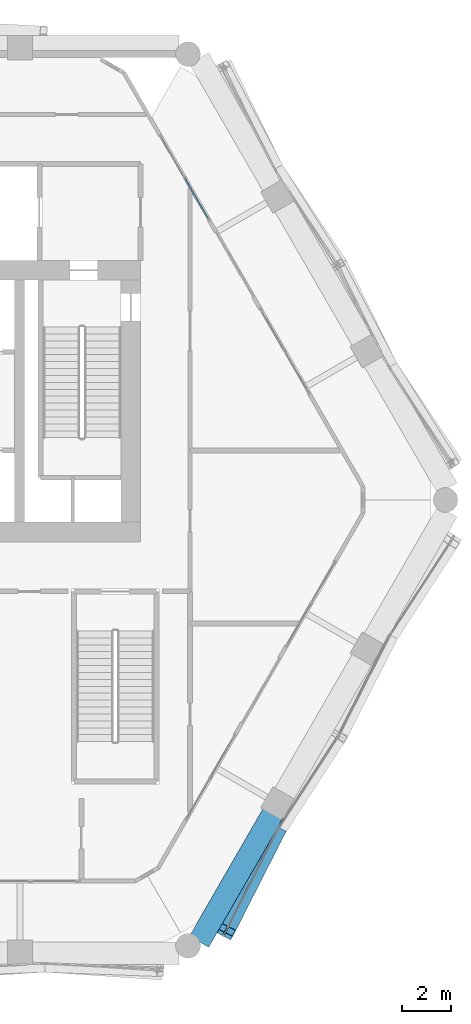
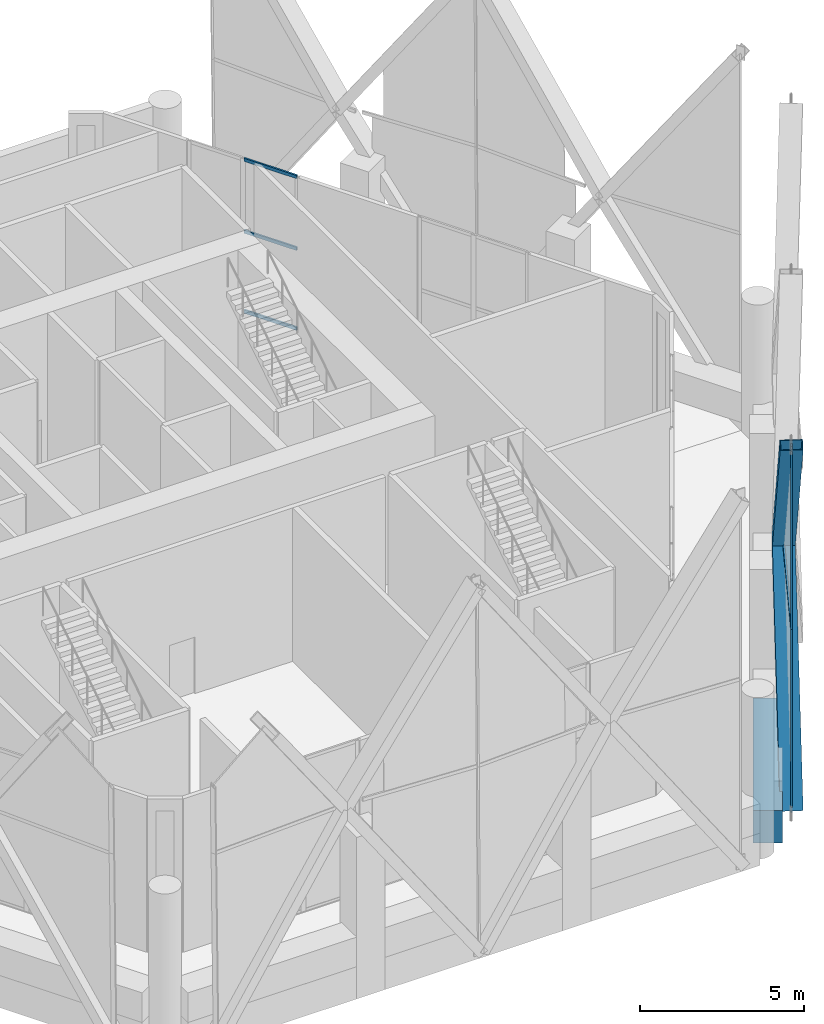
# One storey, part 18 of 43: 8 members, 1 beam, 3 elements without a shape of their own.
"""IFC4 building model written with IfcOpenShell, lengths in metres."""

from ifc_helpers import new_model, si_unit, direction, frame, origin, origin_2d, place, context, subcontext, project, spatial, rectangle, hollow_rectangle, extrude, material, material_profile, profile_set, type_object, element, aggregate, save


model = new_model("IFC4")

# Units and contexts
model_context = context("Model", 3, precision=1e-05, world=origin(), true_north=direction((0.0, 1.0)))
body_context = subcontext(model_context, "Body", "Model", "MODEL_VIEW")
ifc_project = project(units=[si_unit("LENGTHUNIT", "METRE"), si_unit("AREAUNIT", "SQUARE_METRE"), si_unit("VOLUMEUNIT", "CUBIC_METRE"), si_unit("PLANEANGLEUNIT", "RADIAN"), si_unit("MASSUNIT", "GRAM", prefix="KILO")], contexts=[model_context])

# Site, building, storey
site_placement = place(None, origin())
site = spatial("IfcSite", under=ifc_project, at=site_placement, CompositionType="ELEMENT")
building_placement = place(site_placement, origin())
building = spatial("IfcBuilding", under=site, at=building_placement, Name="Ostrander Bayou Hotel Tower", CompositionType="ELEMENT")
storey_placement = place(building_placement, frame((0.0, 0.0, 151.0)))
storey = spatial("IfcBuildingStorey", under=building, at=storey_placement, Name="L37", CompositionType="ELEMENT", Elevation=151.0)

# Curtain wall, members
ifc_material_1 = material(Name="Aluminium and clear glass", Category="aluminium")
curtain_wall_type_1 = type_object("IfcCurtainWallType", Name="CW-LAT lattice glazing", PredefinedType="NOTDEFINED", material=ifc_material_1)
curtain_wall_1_placement = place(storey_placement, origin())
curtain_wall_1 = element("IfcCurtainWall", 1, at=curtain_wall_1_placement, inside=storey, type_object=curtain_wall_type_1, Name="CW-LAT L37 SE 1", PredefinedType="NOTDEFINED")
ifc_material_2 = material(Name="Aluminium", Category="aluminium")
ifc_material_profile_1 = material_profile(ifc_material_2, hollow_rectangle(XDim=0.06005859375, YDim=0.159912109375, WallThickness=0.00390625, at=origin_2d()))
ifc_profile_set_1 = profile_set([ifc_material_profile_1], Name="Aluminium")
member_type_1 = type_object("IfcMemberType", Name="CW-LA mullion 60 x 160 mm", PredefinedType="MULLION", material=ifc_profile_set_1)
member_1_placement = place(storey_placement, frame((11.90576171875, -17.5185546875, -0.60009765625), z_axis=(0.005605838716, 0.009728842675, 0.999936960109), x_axis=(-0.866453581547, 0.499257639925, 0.0)))
member_1 = element("IfcMember", 2, at=member_1_placement, type_object=member_type_1, Name="CW-LAT mullion 1", PredefinedType="MULLION", context=body_context, shape_type="SweptSolid", body=[
    extrude(hollow_rectangle(XDim=0.06005859375, YDim=0.159912109375, WallThickness=0.00390625, at=origin_2d()), origin(), (0.0, 0.0, 1.0), 6.75048828125),
])
member_2_placement = place(storey_placement, frame((11.943603515625, -17.452880859375, 6.14990234375), z_axis=(0.005605842646, 0.009656516042, 0.99993766117), x_axis=(-0.864834315404, 0.502057374111, 0.0)))
member_2 = element("IfcMember", 3, at=member_2_placement, type_object=member_type_1, Name="CW-LAT mullion 2", PredefinedType="MULLION", context=body_context, shape_type="SweptSolid", body=[
    extrude(hollow_rectangle(XDim=0.06005859375, YDim=0.159912109375, WallThickness=0.00390625, at=origin_2d()), origin(), (0.0, 0.0, 1.0), 6.75048828125),
])
aggregate(curtain_wall_1, [member_1, member_2])

# Curtain wall, member
curtain_wall_2_placement = place(storey_placement, origin())
curtain_wall_2 = element("IfcCurtainWall", 4, at=curtain_wall_2_placement, inside=storey, type_object=curtain_wall_type_1, Name="CW-LAT L37 SE 2", PredefinedType="NOTDEFINED")
ifc_material_3 = material(Name="Aluminium", Category="aluminium")
ifc_material_profile_2 = material_profile(ifc_material_3, hollow_rectangle(XDim=0.06005859375, YDim=0.1201171875, WallThickness=0.00390625, at=origin_2d()))
ifc_profile_set_2 = profile_set([ifc_material_profile_2], Name="Aluminium")
member_type_2 = type_object("IfcMemberType", Name="CW-LA transom 60 x 120 mm", PredefinedType="USERDEFINED", material=ifc_profile_set_2)
member_3_placement = place(storey_placement, frame((11.943603515625, -17.452880859375, 6.14990234375), z_axis=(0.453613468938, 0.891198530518, 0.0), x_axis=(-0.891198530518, 0.453613468938, 0.0)))
member_3 = element("IfcMember", 5, at=member_3_placement, type_object=member_type_2, Name="CW-LAT transom 3", ObjectType="TRANSOM", PredefinedType="USERDEFINED", context=body_context, shape_type="SweptSolid", body=[
    extrude(hollow_rectangle(XDim=0.06005859375, YDim=0.1201171875, WallThickness=0.00390625, at=origin_2d()), origin(), (0.0, 0.0, 1.0), 5.117919921875),
])
aggregate(curtain_wall_2, [member_3])

# Curtain wall, members
ifc_material_4 = material(Name="Aluminium and clear glass", Category="aluminium")
curtain_wall_type_2 = type_object("IfcCurtainWallType", Name="CW-SKY amenity glass wall", PredefinedType="NOTDEFINED", material=ifc_material_4)
curtain_wall_3_placement = place(storey_placement, origin())
curtain_wall_3 = element("IfcCurtainWall", 6, at=curtain_wall_3_placement, inside=storey, type_object=curtain_wall_type_2, Name="CW-SKY L37 NE 4", PredefinedType="NOTDEFINED")
ifc_material_5 = material(Name="Aluminium", Category="aluminium")
ifc_material_profile_3 = material_profile(ifc_material_5, hollow_rectangle(XDim=0.06005859375, YDim=0.1201171875, WallThickness=0.00390625, at=origin_2d()))
ifc_profile_set_3 = profile_set([ifc_material_profile_3], Name="Aluminium")
member_type_3 = type_object("IfcMemberType", Name="CW-SK transom 60 x 120 mm", PredefinedType="USERDEFINED", material=ifc_profile_set_3)
member_4_placement = place(storey_placement, frame((11.228515625, 11.40185546875, 0.030029296875), z_axis=(-0.50012012977, 0.86595603572, 0.0), x_axis=(-0.86595603572, -0.50012012977, 0.0)))
member_4 = element("IfcMember", 7, at=member_4_placement, type_object=member_type_3, Name="CW-SKY transom 1.1", ObjectType="TRANSOM", PredefinedType="USERDEFINED", context=body_context, shape_type="SweptSolid", body=[
    extrude(hollow_rectangle(XDim=0.06005859375, YDim=0.1201171875, WallThickness=0.00390625, at=origin_2d()), origin(), (0.0, 0.0, 1.0), 1.85986328125),
])
member_5_placement = place(storey_placement, frame((11.228515625, 11.40185546875, 3.0), z_axis=(-0.50012012977, 0.86595603572, 0.0), x_axis=(-0.86595603572, -0.50012012977, 0.0)))
member_5 = element("IfcMember", 8, at=member_5_placement, type_object=member_type_3, Name="CW-SKY transom 1.2", ObjectType="TRANSOM", PredefinedType="USERDEFINED", context=body_context, shape_type="SweptSolid", body=[
    extrude(hollow_rectangle(XDim=0.06005859375, YDim=0.1201171875, WallThickness=0.00390625, at=origin_2d()), origin(), (0.0, 0.0, 1.0), 1.85986328125),
])
member_6_placement = place(storey_placement, frame((11.228515625, 11.40185546875, 5.669921875), z_axis=(-0.50012012977, 0.86595603572, 0.0), x_axis=(-0.86595603572, -0.50012012977, 0.0)))
member_6 = element("IfcMember", 9, at=member_6_placement, type_object=member_type_3, Name="CW-SKY transom 1.3", ObjectType="TRANSOM", PredefinedType="USERDEFINED", context=body_context, shape_type="SweptSolid", body=[
    extrude(hollow_rectangle(XDim=0.06005859375, YDim=0.1201171875, WallThickness=0.00390625, at=origin_2d()), origin(), (0.0, 0.0, 1.0), 1.85986328125),
])
aggregate(curtain_wall_3, [member_4, member_5, member_6])

# Members
ifc_material_6 = material(Name="Steel ASTM A572 Gr 50", Category="steel")
ifc_material_profile_4 = material_profile(ifc_material_6, hollow_rectangle(XDim=0.699951171875, YDim=0.35009765625, WallThickness=0.02490234375, at=origin_2d()))
ifc_profile_set_4 = profile_set([ifc_material_profile_4], Name="Steel ASTM A572 Gr 50")
member_type_4 = type_object("IfcMemberType", Name="LT1 lattice member box 700 x 350 x 25 mm", PredefinedType="BRACE", material=ifc_profile_set_4)
member_7_placement = place(storey_placement, frame((14.020263671875, -13.373291015625, 6.14990234375), z_axis=(-0.257910533039, -0.505607082376, -0.823312598712), x_axis=(0.890799143391, -0.454397277867, 0.0)))
element("IfcMember", 10, at=member_7_placement, inside=storey, type_object=member_type_4, Name="LT1 L37 SE 1", PredefinedType="BRACE", context=body_context, shape_type="SweptSolid", body=[
    extrude(hollow_rectangle(XDim=0.699951171875, YDim=0.35009765625, WallThickness=0.02490234375, at=origin_2d()), origin(), (0.0, 0.0, 1.0), 8.198486328125),
])
member_8_placement = place(storey_placement, frame((14.020263671875, -13.373291015625, 6.14990234375), z_axis=(-0.251276012821, -0.494758888614, 0.831909855404), x_axis=(0.891600760709, -0.45282235314, 0.0)))
element("IfcMember", 11, at=member_8_placement, inside=storey, type_object=member_type_4, Name="LT1 L37 SE 2", PredefinedType="BRACE", context=body_context, shape_type="SweptSolid", body=[
    extrude(hollow_rectangle(XDim=0.699951171875, YDim=0.35009765625, WallThickness=0.02490234375, at=origin_2d()), origin(), (0.0, 0.0, 1.0), 8.11376953125),
])

# Beam
ifc_material_7 = material(Name="Concrete f'c 60 MPa", Category="concrete")
ifc_material_profile_5 = material_profile(ifc_material_7, rectangle(XDim=0.89990234375, YDim=1.199951171875, at=origin_2d()))
ifc_profile_set_5 = profile_set([ifc_material_profile_5], Name="Concrete f'c 60 MPa")
beam_type = type_object("IfcBeamType", Name="SP3 spandrel beam 900 x 1200 mm f'c 60 MPa", PredefinedType="SPANDREL", material=ifc_profile_set_5)
beam_placement = place(storey_placement, frame((10.865478515625, -17.88037109375, -0.60009765625), z_axis=(0.49998703478, 0.866032889128, 0.0), x_axis=(-0.866032889128, 0.49998703478, 0.0)))
element("IfcBeam", 12, at=beam_placement, inside=storey, type_object=beam_type, Name="SP3 L37 SE-1", PredefinedType="SPANDREL", context=body_context, shape_type="SweptSolid", body=[
    extrude(rectangle(XDim=0.89990234375, YDim=1.199951171875, at=origin_2d()), origin(), (0.0, 0.0, 1.0), 5.964111328125),
])

save(model, "model.ifc")
